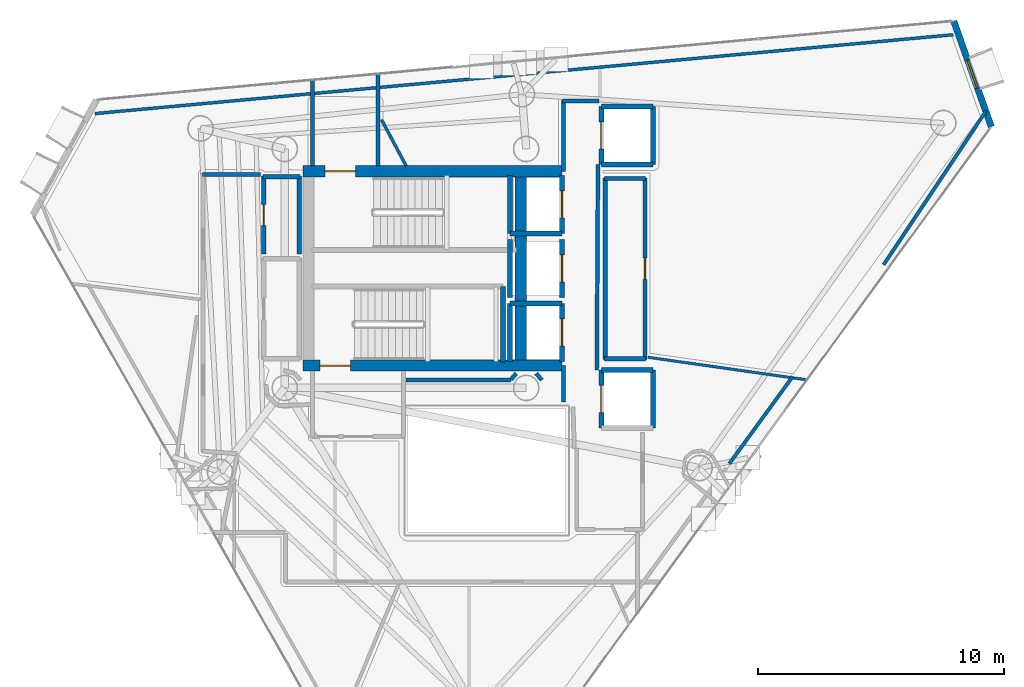
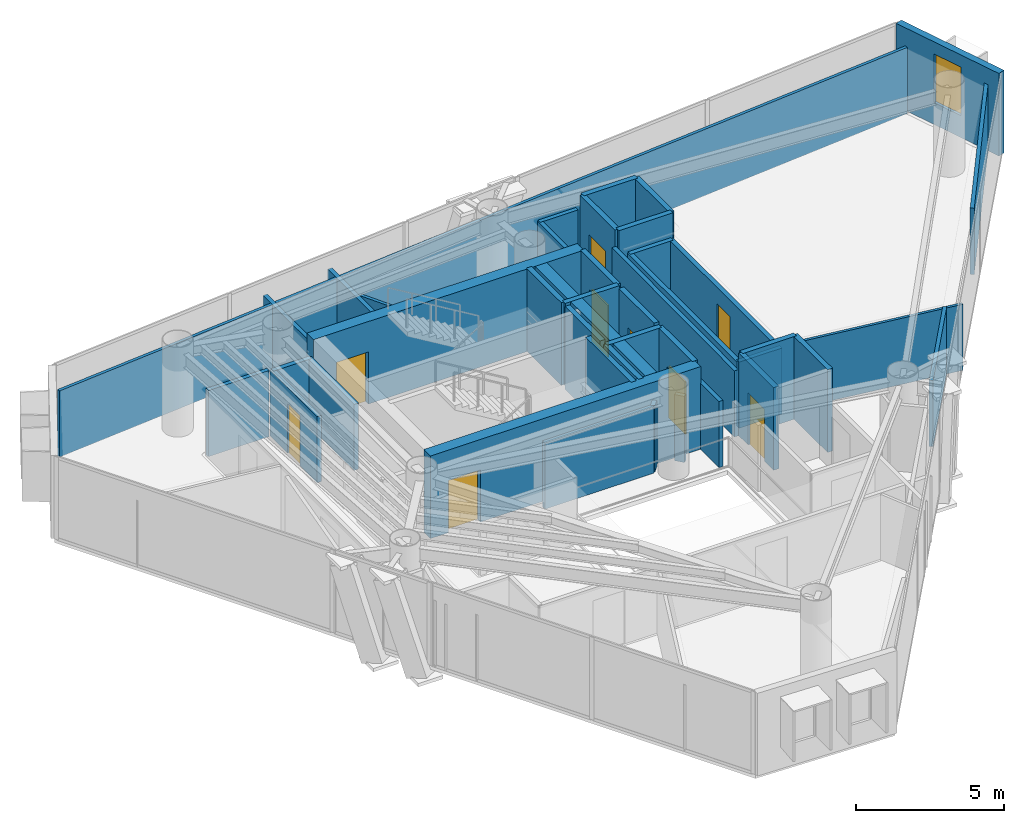
# One storey, part 18 of 21: 42 walls, 9 doors, 1 window, 10 openings.
"""IFC4 building model written with IfcOpenShell, lengths in metres."""

from ifc_helpers import new_model, si_unit, direction, frame, frame_2d, origin, place, context, subcontext, project, spatial, rectangle, extrude, material, layer, layer_set, type_object, element, fill, save


model = new_model("IFC4")

# Units and contexts
model_context = context("Model", 3, precision=1e-05, world=origin(), true_north=direction((0.0, 1.0)))
body_context = subcontext(model_context, "Body", "Model", "MODEL_VIEW")
ifc_project = project(units=[si_unit("LENGTHUNIT", "METRE"), si_unit("AREAUNIT", "SQUARE_METRE"), si_unit("VOLUMEUNIT", "CUBIC_METRE"), si_unit("PLANEANGLEUNIT", "RADIAN"), si_unit("MASSUNIT", "GRAM", prefix="KILO")], contexts=[model_context])

# Site, building, storey
site_placement = place(None, origin())
site = spatial("IfcSite", under=ifc_project, at=site_placement, CompositionType="ELEMENT")
building_placement = place(site_placement, origin())
building = spatial("IfcBuilding", under=site, at=building_placement, Name="Qianvela Tower", CompositionType="ELEMENT")
storey_placement = place(building_placement, frame((0.0, 0.0, 272.300048828125)))
storey = spatial("IfcBuildingStorey", under=building, at=storey_placement, Name="L70", CompositionType="ELEMENT", Elevation=272.300048828125)

# Wall, opening, window
ifc_material_1 = material(Name="Terracotta Cladding on Concrete C40", Category="masonry")
ifc_layer_1 = layer(ifc_material_1, 0.260009765625)
ifc_layer_set_1 = layer_set([ifc_layer_1], Name="Terracotta Cladding on Concrete C40")
wall_type_1 = type_object("IfcWallType", Name="TERRACOTTA-WALL-260", PredefinedType="SOLIDWALL", material=ifc_layer_set_1)
wall_1_placement = place(storey_placement, frame((57.28125, 34.45458984375, 0.0), z_axis=(0.0, 0.0, 1.0), x_axis=(-0.335078470917, 0.942190224067, 0.0)))
wall_1 = element("IfcWall", 1, at=wall_1_placement, inside=storey, type_object=wall_type_1, Name="L70 Terracotta Chamfer Facet Wall 1", PredefinedType="SOLIDWALL", context=body_context, shape_type="SweptSolid", body=[
    extrude(rectangle(XDim=4.550048828125, YDim=0.260009765625, at=frame_2d((2.27490234375, 0.0))), origin(), (0.0, 0.0, 1.0), 3.39990234375),
])
opening_1_placement = place(wall_1_placement, frame((1.675048828125, 0.0, 0.89990234375)))
opening_1 = element("IfcOpeningElement", 2, at=opening_1_placement, cuts=wall_1, Name="Opening W-03", PredefinedType="OPENING", context=body_context, shape_type="SweptSolid", body=[
    extrude(rectangle(XDim=1.199951171875, YDim=2.0, at=frame_2d((0.60009765625, 1.0))), frame((0.0, 0.139892578125, 0.0), z_axis=(0.0, -1.0, 0.0), x_axis=(1.0, 0.0, 0.0)), (0.0, 0.0, 1.0), 0.280029296875),
])
ifc_material_2 = material(Name="Thermally Broken Aluminium and Low-E Glass", Category="aluminium")
window_type = type_object("IfcWindowType", Name="WIN-TC-1200x2000", PartitioningType="SINGLE_PANEL", PredefinedType="WINDOW", material=ifc_material_2)
window_placement = place(opening_1_placement, origin())
window = element("IfcWindow", 3, at=window_placement, inside=storey, type_object=window_type, Name="L70 Chamfer Facet Window 1.1", OverallHeight=2.0, OverallWidth=1.199951171875, PartitioningType="SINGLE_PANEL", PredefinedType="WINDOW", context=body_context, shape_type="SweptSolid", body=[
    extrude(rectangle(XDim=1.199951171875, YDim=2.0, at=frame_2d((0.60009765625, 1.0))), frame((0.0, 0.030029296875, 0.0), z_axis=(0.0, -1.0, 0.0), x_axis=(1.0, 0.0, 0.0)), (0.0, 0.0, 1.0), 0.06005859375),
])
fill(opening_1, window)

# Wall, opening, door
ifc_material_3 = material(Name="Concrete C50", Category="concrete")
ifc_layer_2 = layer(ifc_material_3, 0.449951171875)
ifc_layer_set_2 = layer_set([ifc_layer_2], Name="Concrete C50")
wall_type_2 = type_object("IfcWallType", Name="WT-CORE-450", PredefinedType="SHEAR", material=ifc_layer_set_2)
wall_2_placement = place(storey_placement, frame((29.330078125, 32.64501953125, 0.0), z_axis=(0.0, 0.0, 1.0), x_axis=(1.0, 0.0, 0.0)))
wall_2 = element("IfcWall", 4, at=wall_2_placement, inside=storey, type_object=wall_type_2, Name="L70 North Core Shear Wall", PredefinedType="SHEAR", context=body_context, shape_type="SweptSolid", body=[
    extrude(rectangle(XDim=10.52001953125, YDim=0.449951171875, at=frame_2d((5.260009765625, 0.0))), origin(), (0.0, 0.0, 1.0), 3.39990234375),
])
opening_2_placement = place(wall_2_placement, frame((0.89501953125, 0.0, 0.0)))
opening_2 = element("IfcOpeningElement", 5, at=opening_2_placement, cuts=wall_2, Name="Opening D-ST1", PredefinedType="OPENING", context=body_context, shape_type="SweptSolid", body=[
    extrude(rectangle(XDim=1.25, YDim=2.14990234375, at=frame_2d((0.625, 1.074951171875))), frame((0.0, 0.23486328125, 0.0), z_axis=(0.0, -1.0, 0.0), x_axis=(1.0, 0.0, 0.0)), (0.0, 0.0, 1.0), 0.469970703125),
])
ifc_material_4 = material(Name="Galvanised Fire Steel Q355B", Category="steel")
door_type_1 = type_object("IfcDoorType", Name="DT-STAIR-FD90", OperationType="NOTDEFINED", PredefinedType="DOOR", material=ifc_material_4)
door_1_placement = place(opening_2_placement, origin())
door_1 = element("IfcDoor", 6, at=door_1_placement, inside=storey, type_object=door_type_1, Name="L70 Stair ST-1 Exit Door", OperationType="SINGLE_SWING_RIGHT", OverallHeight=2.14990234375, OverallWidth=1.25, PredefinedType="DOOR", context=body_context, shape_type="SweptSolid", body=[
    extrude(rectangle(XDim=1.25, YDim=2.14990234375, at=frame_2d((0.625, 1.074951171875))), frame((0.0, 0.02490234375, 0.0), z_axis=(0.0, -1.0, 0.0), x_axis=(1.0, 0.0, 0.0)), (0.0, 0.0, 1.0), 0.050048828125),
])
fill(opening_2, door_1)

wall_3_placement = place(storey_placement, frame((29.330078125, 24.7548828125, 0.0), z_axis=(0.0, 0.0, 1.0), x_axis=(1.0, 0.0, 0.0)))
wall_3 = element("IfcWall", 7, at=wall_3_placement, inside=storey, type_object=wall_type_2, Name="L70 South Core Shear Wall", PredefinedType="SHEAR", context=body_context, shape_type="SweptSolid", body=[
    extrude(rectangle(XDim=10.52001953125, YDim=0.449951171875, at=frame_2d((5.260009765625, 0.0))), origin(), (0.0, 0.0, 1.0), 3.39990234375),
])
opening_3_placement = place(wall_3_placement, frame((0.695068359375, 0.0, 0.0)))
opening_3 = element("IfcOpeningElement", 8, at=opening_3_placement, cuts=wall_3, Name="Opening D-ST1", PredefinedType="OPENING", context=body_context, shape_type="SweptSolid", body=[
    extrude(rectangle(XDim=1.25, YDim=2.14990234375, at=frame_2d((0.625, 1.074951171875))), frame((0.0, 0.23486328125, 0.0), z_axis=(0.0, -1.0, 0.0), x_axis=(1.0, 0.0, 0.0)), (0.0, 0.0, 1.0), 0.469970703125),
])
door_2_placement = place(opening_3_placement, origin())
door_2 = element("IfcDoor", 9, at=door_2_placement, inside=storey, type_object=door_type_1, Name="L70 Stair ST-2 Exit Door", OperationType="SINGLE_SWING_RIGHT", OverallHeight=2.14990234375, OverallWidth=1.25, PredefinedType="DOOR", context=body_context, shape_type="SweptSolid", body=[
    extrude(rectangle(XDim=1.25, YDim=2.14990234375, at=frame_2d((0.625, 1.074951171875))), frame((0.0, 0.02490234375, 0.0), z_axis=(0.0, -1.0, 0.0), x_axis=(1.0, 0.0, 0.0)), (0.0, 0.0, 1.0), 0.050048828125),
])
fill(opening_3, door_2)

# Walls
wall_4_placement = place(storey_placement, frame((38.179931640625, 24.97998046875, 0.0), z_axis=(0.0, 0.0, 1.0), x_axis=(0.0, 1.0, 0.0)))
element("IfcWall", 10, at=wall_4_placement, inside=storey, type_object=wall_type_2, Name="L70 East Spine Core Shear Wall", PredefinedType="SHEAR", context=body_context, shape_type="SweptSolid", body=[
    extrude(rectangle(XDim=7.43994140625, YDim=0.449951171875, at=frame_2d((3.719970703125, 0.0))), origin(), (0.0, 0.0, 1.0), 3.39990234375),
])
ifc_material_5 = material(Name="Fire-Rated Gypsum and Concrete Block", Category="concrete")
ifc_layer_3 = layer(ifc_material_5, 0.159912109375)
ifc_layer_set_3 = layer_set([ifc_layer_3], Name="Fire-Rated Gypsum and Concrete Block")
wall_type_3 = type_object("IfcWallType", Name="WT-CORR-160", PredefinedType="PARTITIONING", material=ifc_layer_set_3)
wall_5_placement = place(storey_placement, frame((29.73095703125, 32.85791015625, 0.0), z_axis=(0.0, 0.0, 1.0), x_axis=(0.0, 1.0, 0.0)))
element("IfcWall", 11, at=wall_5_placement, inside=storey, type_object=wall_type_3, Name="L70 Partition 2", PredefinedType="PARTITIONING", context=body_context, shape_type="SweptSolid", body=[
    extrude(rectangle(XDim=3.513671875, YDim=0.159912109375, at=frame_2d((1.7568359375, 0.0))), origin(), (0.0, 0.0, 1.0), 2.719970703125),
])
wall_6_placement = place(storey_placement, frame((32.388916015625, 36.61572265625, 0.0), z_axis=(0.0, 0.0, 1.0), x_axis=(0.0, -1.0, 0.0)))
element("IfcWall", 12, at=wall_6_placement, inside=storey, type_object=wall_type_3, Name="L70 Partition 4", PredefinedType="PARTITIONING", context=body_context, shape_type="SweptSolid", body=[
    extrude(rectangle(XDim=3.7578125, YDim=0.159912109375, at=frame_2d((1.87890625, 0.0))), origin(), (0.0, 0.0, 1.0), 2.719970703125),
])
wall_7_placement = place(storey_placement, frame((39.910888671875, 23.280029296875, 0.0), z_axis=(0.0, 0.0, 1.0), x_axis=(0.0, 1.0, 0.0)))
element("IfcWall", 13, at=wall_7_placement, inside=storey, type_object=wall_type_3, Name="L70 Partition 10", PredefinedType="PARTITIONING", context=body_context, shape_type="SweptSolid", body=[
    extrude(rectangle(XDim=1.47998046875, YDim=0.159912109375, at=frame_2d((0.739990234375, 0.0))), origin(), (0.0, 0.0, 1.0), 2.719970703125),
])
wall_8_placement = place(storey_placement, frame((39.910888671875, 32.639892578125, 0.0), z_axis=(0.0, 0.0, 1.0), x_axis=(0.0, 1.0, 0.0)))
element("IfcWall", 14, at=wall_8_placement, inside=storey, type_object=wall_type_3, Name="L70 Partition 12", PredefinedType="PARTITIONING", context=body_context, shape_type="SweptSolid", body=[
    extrude(rectangle(XDim=2.880126953125, YDim=0.159912109375, at=frame_2d((1.43994140625, 0.0))), origin(), (0.0, 0.0, 1.0), 2.719970703125),
])
wall_9_placement = place(storey_placement, frame((39.8798828125, 35.489013671875, 0.0), z_axis=(0.0, 0.0, 1.0), x_axis=(1.0, 0.0, 0.0)))
element("IfcWall", 15, at=wall_9_placement, inside=storey, type_object=wall_type_3, Name="L70 Partition 13", PredefinedType="PARTITIONING", context=body_context, shape_type="SweptSolid", body=[
    extrude(rectangle(XDim=1.480224609375, YDim=0.159912109375, at=frame_2d((0.740234375, 0.0))), origin(), (0.0, 0.0, 1.0), 2.719970703125),
])
wall_10_placement = place(storey_placement, frame((41.3134765625, 32.919921875, 0.0), z_axis=(0.0, 0.0, 1.0), x_axis=(-0.005942518022, -0.999982343084, 0.0)))
element("IfcWall", 16, at=wall_10_placement, inside=storey, type_object=wall_type_3, Name="L70 Partition 14 seg 2", PredefinedType="PARTITIONING", context=body_context, shape_type="SweptSolid", body=[
    extrude(rectangle(XDim=8.340087890625, YDim=0.159912109375, at=frame_2d((4.169921875, 0.0))), origin(), (0.0, 0.0, 1.0), 2.719970703125),
])
wall_11_placement = place(storey_placement, frame((39.0361328125, 24.170166015625, 0.0), z_axis=(0.0, 0.0, 1.0), x_axis=(-0.652260263346, 0.757995084984, 0.0)))
element("IfcWall", 17, at=wall_11_placement, inside=storey, type_object=wall_type_3, Name="L70 Partition 45", PredefinedType="PARTITIONING", context=body_context, shape_type="SweptSolid", body=[
    extrude(rectangle(XDim=0.35546875, YDim=0.159912109375, at=frame_2d((0.177734375, 0.0))), origin(), (0.0, 0.0, 1.0), 2.719970703125),
])
wall_12_placement = place(storey_placement, frame((37.995849609375, 24.439697265625, 0.0), z_axis=(0.0, 0.0, 1.0), x_axis=(-0.652425645794, -0.757852740782, 0.0)))
element("IfcWall", 18, at=wall_12_placement, inside=storey, type_object=wall_type_3, Name="L70 Partition 48", PredefinedType="PARTITIONING", context=body_context, shape_type="SweptSolid", body=[
    extrude(rectangle(XDim=0.319580078125, YDim=0.159912109375, at=frame_2d((0.15966796875, 0.0))), origin(), (0.0, 0.0, 1.0), 2.719970703125),
])
wall_13_placement = place(storey_placement, frame((37.787353515625, 24.180908203125, 0.0), z_axis=(0.0, 0.0, 1.0), x_axis=(-1.0, 0.0, 0.0)))
element("IfcWall", 19, at=wall_13_placement, inside=storey, type_object=wall_type_3, Name="L70 Partition 49", PredefinedType="PARTITIONING", context=body_context, shape_type="SweptSolid", body=[
    extrude(rectangle(XDim=4.25732421875, YDim=0.159912109375, at=frame_2d((2.128662109375, 0.0))), origin(), (0.0, 0.0, 1.0), 2.719970703125),
])
wall_14_placement = place(storey_placement, frame((25.25, 32.51904296875, 0.0), z_axis=(0.0, 0.0, 1.0), x_axis=(1.0, 0.0, 0.0)))
element("IfcWall", 20, at=wall_14_placement, inside=storey, type_object=wall_type_3, Name="L70 Partition 63", PredefinedType="PARTITIONING", context=body_context, shape_type="SweptSolid", body=[
    extrude(rectangle(XDim=2.3701171875, YDim=0.159912109375, at=frame_2d((1.18505859375, 0.0))), origin(), (0.0, 0.0, 1.0), 2.719970703125),
])
ifc_material_6 = material(Name="Lightweight Gypsum Room Partition")
ifc_layer_4 = layer(ifc_material_6, 0.10498046875)
ifc_layer_set_4 = layer_set([ifc_layer_4], Name="Lightweight Gypsum Room Partition")
wall_type_4 = type_object("IfcWallType", Name="WT-PART-105", PredefinedType="PARTITIONING", material=ifc_layer_set_4)
wall_15_placement = place(storey_placement, frame((43.345703125, 25.094970703125, 0.0), z_axis=(0.0, 0.0, 1.0), x_axis=(0.990037397819, -0.140804655176, 0.0)))
element("IfcWall", 21, at=wall_15_placement, inside=storey, type_object=wall_type_4, Name="L70 Partition 90", PredefinedType="PARTITIONING", context=body_context, shape_type="SweptSolid", body=[
    extrude(rectangle(XDim=6.540283203125, YDim=0.10498046875, at=frame_2d((3.27001953125, 0.0))), origin(), (0.0, 0.0, 1.0), 2.719970703125),
])
ifc_material_7 = material(Name="Insulated Gypsum Stud Partition")
ifc_layer_5 = layer(ifc_material_7, 0.1201171875)
ifc_layer_set_5 = layer_set([ifc_layer_5], Name="Insulated Gypsum Stud Partition")
wall_type_5 = type_object("IfcWallType", Name="WT-PART-120", PredefinedType="PARTITIONING", material=ifc_layer_set_5)
wall_16_placement = place(storey_placement, frame((20.8955078125, 34.98681640625, 0.0), z_axis=(0.0, 0.0, 1.0), x_axis=(0.995809385276, 0.091453092875, 0.0)))
element("IfcWall", 22, at=wall_16_placement, inside=storey, type_object=wall_type_5, Name="L70 Partition 110", PredefinedType="PARTITIONING", context=body_context, shape_type="SweptSolid", body=[
    extrude(rectangle(XDim=34.98486328125, YDim=0.1201171875, at=frame_2d((17.492431640625, 0.0))), origin(), (0.0, 0.0, 1.0), 2.719970703125),
])
wall_17_placement = place(storey_placement, frame((33.527587890625, 32.85791015625, 0.0), z_axis=(0.0, 0.0, 1.0), x_axis=(-0.46963008212, 0.882863288379, 0.0)))
element("IfcWall", 23, at=wall_17_placement, inside=storey, type_object=wall_type_5, Name="L70 Partition 122", PredefinedType="PARTITIONING", context=body_context, shape_type="SweptSolid", body=[
    extrude(rectangle(XDim=2.1298828125, YDim=0.1201171875, at=frame_2d((1.06494140625, 0.0))), origin(), (0.0, 0.0, 1.0), 2.719970703125),
])
ifc_material_8 = material(Name="Moisture-Resistant Acoustic Plumbing Wall")
ifc_layer_6 = layer(ifc_material_8, 0.175048828125)
ifc_layer_set_6 = layer_set([ifc_layer_6], Name="Moisture-Resistant Acoustic Plumbing Wall")
wall_type_6 = type_object("IfcWallType", Name="WT-PLUMB-175", PredefinedType="PLUMBINGWALL", material=ifc_layer_set_6)
wall_18_placement = place(storey_placement, frame((43.25, 25.031005859375, 0.0), z_axis=(0.0, 0.0, 1.0), x_axis=(-1.0, 0.0, 0.0)))
element("IfcWall", 24, at=wall_18_placement, inside=storey, type_object=wall_type_6, Name="L70 Partition 19", PredefinedType="PLUMBINGWALL", context=body_context, shape_type="SweptSolid", body=[
    extrude(rectangle(XDim=1.669921875, YDim=0.175048828125, at=frame_2d((0.8349609375, 0.0))), origin(), (0.0, 0.0, 1.0), 2.719970703125),
])
wall_19_placement = place(storey_placement, frame((41.611083984375, 25.0, 0.0), z_axis=(0.0, 0.0, 1.0), x_axis=(0.0, 1.0, 0.0)))
element("IfcWall", 25, at=wall_19_placement, inside=storey, type_object=wall_type_6, Name="L70 Partition 20", PredefinedType="PLUMBINGWALL", context=body_context, shape_type="SweptSolid", body=[
    extrude(rectangle(XDim=7.3798828125, YDim=0.175048828125, at=frame_2d((3.68994140625, 0.0))), origin(), (0.0, 0.0, 1.0), 2.719970703125),
])
wall_20_placement = place(storey_placement, frame((41.580078125, 32.34912109375, 0.0), z_axis=(0.0, 0.0, 1.0), x_axis=(1.0, 0.0, 0.0)))
element("IfcWall", 26, at=wall_20_placement, inside=storey, type_object=wall_type_6, Name="L70 Partition 21", PredefinedType="PLUMBINGWALL", context=body_context, shape_type="SweptSolid", body=[
    extrude(rectangle(XDim=1.669921875, YDim=0.175048828125, at=frame_2d((0.8349609375, 0.0))), origin(), (0.0, 0.0, 1.0), 2.719970703125),
])

# Wall, opening, door
wall_21_placement = place(storey_placement, frame((43.218994140625, 32.3798828125, 0.0), z_axis=(0.0, 0.0, 1.0), x_axis=(0.0, -1.0, 0.0)))
wall_21 = element("IfcWall", 27, at=wall_21_placement, inside=storey, type_object=wall_type_6, Name="L70 Partition 22", PredefinedType="PLUMBINGWALL", context=body_context, shape_type="SweptSolid", body=[
    extrude(rectangle(XDim=7.3798828125, YDim=0.175048828125, at=frame_2d((3.68994140625, 0.0))), origin(), (0.0, 0.0, 1.0), 2.719970703125),
])
opening_4_placement = place(wall_21_placement, frame((3.260009765625, 0.0, 0.0)))
opening_4 = element("IfcOpeningElement", 28, at=opening_4_placement, cuts=wall_21, Name="Opening D-WC1", PredefinedType="OPENING", context=body_context, shape_type="SweptSolid", body=[
    extrude(rectangle(XDim=0.860107421875, YDim=2.050048828125, at=frame_2d((0.43017578125, 1.02490234375))), frame((0.0, 0.097412109375, 0.0), z_axis=(0.0, -1.0, 0.0), x_axis=(1.0, 0.0, 0.0)), (0.0, 0.0, 1.0), 0.195068359375),
])
ifc_material_9 = material(Name="Moisture-Sealed Acoustic Timber Door", Category="wood")
door_type_2 = type_object("IfcDoorType", Name="DT-WC-860", OperationType="NOTDEFINED", PredefinedType="DOOR", material=ifc_material_9)
door_3_placement = place(opening_4_placement, origin())
door_3 = element("IfcDoor", 29, at=door_3_placement, inside=storey, type_object=door_type_2, Name="L70 Door L70 Accessible WC to Student Bookshop Market L70-05", OperationType="SINGLE_SWING_LEFT", OverallHeight=2.050048828125, OverallWidth=0.860107421875, PredefinedType="DOOR", context=body_context, shape_type="SweptSolid", body=[
    extrude(rectangle(XDim=0.860107421875, YDim=2.050048828125, at=frame_2d((0.43017578125, 1.02490234375))), frame((0.0, 0.02490234375, 0.0), z_axis=(0.0, -1.0, 0.0), x_axis=(1.0, 0.0, 0.0)), (0.0, 0.0, 1.0), 0.050048828125),
])
fill(opening_4, door_3)

wall_22_placement = place(storey_placement, frame((27.7509765625, 29.280029296875, 0.0), z_axis=(0.0, 0.0, 1.0), x_axis=(0.0, 1.0, 0.0)))
wall_22 = element("IfcWall", 30, at=wall_22_placement, inside=storey, type_object=wall_type_6, Name="L70 Partition 27", PredefinedType="PLUMBINGWALL", context=body_context, shape_type="SweptSolid", body=[
    extrude(rectangle(XDim=3.169921875, YDim=0.175048828125, at=frame_2d((1.5849609375, 0.0))), origin(), (0.0, 0.0, 1.0), 2.719970703125),
])
opening_5_placement = place(wall_22_placement, frame((1.155029296875, 0.0, 0.0)))
opening_5 = element("IfcOpeningElement", 31, at=opening_5_placement, cuts=wall_22, Name="Opening D-WC1", PredefinedType="OPENING", context=body_context, shape_type="SweptSolid", body=[
    extrude(rectangle(XDim=0.860107421875, YDim=2.050048828125, at=frame_2d((0.43017578125, 1.02490234375))), frame((0.0, 0.097412109375, 0.0), z_axis=(0.0, -1.0, 0.0), x_axis=(1.0, 0.0, 0.0)), (0.0, 0.0, 1.0), 0.195068359375),
])
door_4_placement = place(opening_5_placement, origin())
door_4 = element("IfcDoor", 32, at=door_4_placement, inside=storey, type_object=door_type_2, Name="L70 Door L70 Accessible WC to L70 Floor Corridor", OperationType="SINGLE_SWING_LEFT", OverallHeight=2.050048828125, OverallWidth=0.860107421875, PredefinedType="DOOR", context=body_context, shape_type="SweptSolid", body=[
    extrude(rectangle(XDim=0.860107421875, YDim=2.050048828125, at=frame_2d((0.43017578125, 1.02490234375))), frame((0.0, 0.02490234375, 0.0), z_axis=(0.0, -1.0, 0.0), x_axis=(1.0, 0.0, 0.0)), (0.0, 0.0, 1.0), 0.050048828125),
])
fill(opening_5, door_4)

# Walls
wall_23_placement = place(storey_placement, frame((27.719970703125, 32.4189453125, 0.0), z_axis=(0.0, 0.0, 1.0), x_axis=(1.0, 0.0, 0.0)))
element("IfcWall", 33, at=wall_23_placement, inside=storey, type_object=wall_type_6, Name="L70 Partition 28", PredefinedType="PLUMBINGWALL", context=body_context, shape_type="SweptSolid", body=[
    extrude(rectangle(XDim=1.5, YDim=0.175048828125, at=frame_2d((0.75, 0.0))), origin(), (0.0, 0.0, 1.0), 2.719970703125),
])
wall_24_placement = place(storey_placement, frame((29.18896484375, 32.449951171875, 0.0), z_axis=(0.0, 0.0, 1.0), x_axis=(0.0, -1.0, 0.0)))
element("IfcWall", 34, at=wall_24_placement, inside=storey, type_object=wall_type_6, Name="L70 Partition 29", PredefinedType="PLUMBINGWALL", context=body_context, shape_type="SweptSolid", body=[
    extrude(rectangle(XDim=3.169921875, YDim=0.175048828125, at=frame_2d((1.5849609375, 0.0))), origin(), (0.0, 0.0, 1.0), 2.719970703125),
])
ifc_material_10 = material(Name="Acoustic Double Gypsum Stud Partition")
ifc_layer_7 = layer(ifc_material_10, 0.139892578125)
ifc_layer_set_7 = layer_set([ifc_layer_7], Name="Acoustic Double Gypsum Stud Partition")
wall_type_7 = type_object("IfcWallType", Name="WT-ROOM-140", PredefinedType="PARTITIONING", material=ifc_layer_set_7)
wall_25_placement = place(storey_placement, frame((49.2138671875, 24.306396484375, 0.0), z_axis=(0.0, 0.0, 1.0), x_axis=(-0.588450936064, -0.808532928115, 0.0)))
element("IfcWall", 35, at=wall_25_placement, inside=storey, type_object=wall_type_7, Name="L70 Partition 91", PredefinedType="PARTITIONING", context=body_context, shape_type="SweptSolid", body=[
    extrude(rectangle(XDim=4.3662109375, YDim=0.139892578125, at=frame_2d((2.18310546875, 0.0))), origin(), (0.0, 0.0, 1.0), 2.719970703125),
])
wall_26_placement = place(storey_placement, frame((57.0693359375, 35.099853515625, 0.0), z_axis=(0.0, 0.0, 1.0), x_axis=(-0.554429954991, -0.832230391784, 0.0)))
element("IfcWall", 36, at=wall_26_placement, inside=storey, type_object=wall_type_7, Name="L70 Partition 112 seg 1", PredefinedType="PARTITIONING", context=body_context, shape_type="SweptSolid", body=[
    extrude(rectangle(XDim=7.506103515625, YDim=0.139892578125, at=frame_2d((3.7529296875, 0.0))), origin(), (0.0, 0.0, 1.0), 2.719970703125),
])
ifc_material_11 = material(Name="Concrete C50", Category="concrete")
ifc_layer_8 = layer(ifc_material_11, 0.199951171875)
ifc_layer_set_8 = layer_set([ifc_layer_8], Name="Concrete C50")
wall_type_8 = type_object("IfcWallType", Name="WT-SHAFT-200", PredefinedType="SOLIDWALL", material=ifc_layer_set_8)
wall_27_placement = place(storey_placement, frame((37.449951171875, 24.89990234375, 0.0), z_axis=(0.0, 0.0, 1.0), x_axis=(0.0, 1.0, 0.0)))
element("IfcWall", 37, at=wall_27_placement, inside=storey, type_object=wall_type_8, Name="L70 Stair ST-2 East Wall", PredefinedType="SOLIDWALL", context=body_context, shape_type="SweptSolid", body=[
    extrude(rectangle(XDim=3.06005859375, YDim=0.199951171875, at=frame_2d((1.530029296875, 0.0))), origin(), (0.0, 0.0, 1.0), 3.39990234375),
])

# Wall, opening, door
wall_28_placement = place(storey_placement, frame((39.85009765625, 30.1201171875, 0.0), z_axis=(0.0, 0.0, 1.0), x_axis=(0.0, 1.0, 0.0)))
wall_28 = element("IfcWall", 38, at=wall_28_placement, inside=storey, type_object=wall_type_8, Name="L70 Lift FL-1 E Shaft Wall", PredefinedType="SOLIDWALL", context=body_context, shape_type="SweptSolid", body=[
    extrude(rectangle(XDim=2.35986328125, YDim=0.199951171875, at=frame_2d((1.179931640625, 0.0))), origin(), (0.0, 0.0, 1.0), 3.39990234375),
])
opening_6_placement = place(wall_28_placement, frame((0.6298828125, 0.0, 0.0)))
opening_6 = element("IfcOpeningElement", 39, at=opening_6_placement, cuts=wall_28, Name="Opening LD-01", PredefinedType="OPENING", context=body_context, shape_type="SweptSolid", body=[
    extrude(rectangle(XDim=1.10009765625, YDim=2.14990234375, at=frame_2d((0.550048828125, 1.074951171875))), frame((0.0, 0.10986328125, 0.0), z_axis=(0.0, -1.0, 0.0), x_axis=(1.0, 0.0, 0.0)), (0.0, 0.0, 1.0), 0.219970703125),
])
ifc_material_12 = material(Name="Brushed Stainless Steel Lift Landing Door", Category="steel")
door_type_3 = type_object("IfcDoorType", Name="DT-LIFT-SLIDE-1100", OperationType="SLIDING_TO_LEFT", PredefinedType="DOOR", material=ifc_material_12)
door_5_placement = place(opening_6_placement, origin())
door_5 = element("IfcDoor", 40, at=door_5_placement, inside=storey, type_object=door_type_3, Name="L70 Lift FL-1 Sliding Landing Door", OperationType="SLIDING_TO_LEFT", OverallHeight=2.14990234375, OverallWidth=1.10009765625, PredefinedType="DOOR", context=body_context, shape_type="SweptSolid", body=[
    extrude(rectangle(XDim=1.10009765625, YDim=2.14990234375, at=frame_2d((0.550048828125, 1.074951171875))), frame((0.0, 0.02490234375, 0.0), z_axis=(0.0, -1.0, 0.0), x_axis=(1.0, 0.0, 0.0)), (0.0, 0.0, 1.0), 0.050048828125),
])
fill(opening_6, door_5)

# Walls
wall_29_placement = place(storey_placement, frame((37.75, 30.1201171875, 0.0), z_axis=(0.0, 0.0, 1.0), x_axis=(0.0, 1.0, 0.0)))
element("IfcWall", 41, at=wall_29_placement, inside=storey, type_object=wall_type_8, Name="L70 Lift FL-1 W Shaft Wall", PredefinedType="SOLIDWALL", context=body_context, shape_type="SweptSolid", body=[
    extrude(rectangle(XDim=2.35986328125, YDim=0.199951171875, at=frame_2d((1.179931640625, 0.0))), origin(), (0.0, 0.0, 1.0), 3.39990234375),
])
wall_30_placement = place(storey_placement, frame((37.75, 30.1201171875, 0.0), z_axis=(0.0, 0.0, 1.0), x_axis=(1.0, 0.0, 0.0)))
element("IfcWall", 42, at=wall_30_placement, inside=storey, type_object=wall_type_8, Name="L70 Lift FL-1 S Shaft Wall", PredefinedType="SOLIDWALL", context=body_context, shape_type="SweptSolid", body=[
    extrude(rectangle(XDim=2.10009765625, YDim=0.199951171875, at=frame_2d((1.050048828125, 0.0))), origin(), (0.0, 0.0, 1.0), 3.39990234375),
])

# Wall, opening, door
wall_31_placement = place(storey_placement, frame((39.85009765625, 24.919921875, 0.0), z_axis=(0.0, 0.0, 1.0), x_axis=(0.0, 1.0, 0.0)))
wall_31 = element("IfcWall", 43, at=wall_31_placement, inside=storey, type_object=wall_type_8, Name="L70 Lift FL-2 E Shaft Wall", PredefinedType="SOLIDWALL", context=body_context, shape_type="SweptSolid", body=[
    extrude(rectangle(XDim=2.360107421875, YDim=0.199951171875, at=frame_2d((1.18017578125, 0.0))), origin(), (0.0, 0.0, 1.0), 3.39990234375),
])
opening_7_placement = place(wall_31_placement, frame((0.6298828125, 0.0, 0.0)))
opening_7 = element("IfcOpeningElement", 44, at=opening_7_placement, cuts=wall_31, Name="Opening LD-01", PredefinedType="OPENING", context=body_context, shape_type="SweptSolid", body=[
    extrude(rectangle(XDim=1.10009765625, YDim=2.14990234375, at=frame_2d((0.550048828125, 1.074951171875))), frame((0.0, 0.10986328125, 0.0), z_axis=(0.0, -1.0, 0.0), x_axis=(1.0, 0.0, 0.0)), (0.0, 0.0, 1.0), 0.219970703125),
])
door_6_placement = place(opening_7_placement, origin())
door_6 = element("IfcDoor", 45, at=door_6_placement, inside=storey, type_object=door_type_3, Name="L70 Lift FL-2 Sliding Landing Door", OperationType="SLIDING_TO_LEFT", OverallHeight=2.14990234375, OverallWidth=1.10009765625, PredefinedType="DOOR", context=body_context, shape_type="SweptSolid", body=[
    extrude(rectangle(XDim=1.10009765625, YDim=2.14990234375, at=frame_2d((0.550048828125, 1.074951171875))), frame((0.0, 0.02490234375, 0.0), z_axis=(0.0, -1.0, 0.0), x_axis=(1.0, 0.0, 0.0)), (0.0, 0.0, 1.0), 0.050048828125),
])
fill(opening_7, door_6)

# Walls
wall_32_placement = place(storey_placement, frame((37.75, 24.919921875, 0.0), z_axis=(0.0, 0.0, 1.0), x_axis=(0.0, 1.0, 0.0)))
element("IfcWall", 46, at=wall_32_placement, inside=storey, type_object=wall_type_8, Name="L70 Lift FL-2 W Shaft Wall", PredefinedType="SOLIDWALL", context=body_context, shape_type="SweptSolid", body=[
    extrude(rectangle(XDim=2.360107421875, YDim=0.199951171875, at=frame_2d((1.18017578125, 0.0))), origin(), (0.0, 0.0, 1.0), 3.39990234375),
])
wall_33_placement = place(storey_placement, frame((37.75, 27.280029296875, 0.0), z_axis=(0.0, 0.0, 1.0), x_axis=(1.0, 0.0, 0.0)))
element("IfcWall", 47, at=wall_33_placement, inside=storey, type_object=wall_type_8, Name="L70 Lift FL-2 N Shaft Wall", PredefinedType="SOLIDWALL", context=body_context, shape_type="SweptSolid", body=[
    extrude(rectangle(XDim=2.10009765625, YDim=0.199951171875, at=frame_2d((1.050048828125, 0.0))), origin(), (0.0, 0.0, 1.0), 3.39990234375),
])

# Wall, opening, door
wall_34_placement = place(storey_placement, frame((39.85009765625, 27.52001953125, 0.0), z_axis=(0.0, 0.0, 1.0), x_axis=(0.0, 1.0, 0.0)))
wall_34 = element("IfcWall", 48, at=wall_34_placement, inside=storey, type_object=wall_type_8, Name="L70 Lift PL-H1 E Shaft Wall", PredefinedType="SOLIDWALL", context=body_context, shape_type="SweptSolid", body=[
    extrude(rectangle(XDim=2.35986328125, YDim=0.199951171875, at=frame_2d((1.179931640625, 0.0))), origin(), (0.0, 0.0, 1.0), 3.39990234375),
])
opening_8_placement = place(wall_34_placement, frame((0.6298828125, 0.0, 0.0)))
opening_8 = element("IfcOpeningElement", 49, at=opening_8_placement, cuts=wall_34, Name="Opening LD-01", PredefinedType="OPENING", context=body_context, shape_type="SweptSolid", body=[
    extrude(rectangle(XDim=1.10009765625, YDim=2.14990234375, at=frame_2d((0.550048828125, 1.074951171875))), frame((0.0, 0.10986328125, 0.0), z_axis=(0.0, -1.0, 0.0), x_axis=(1.0, 0.0, 0.0)), (0.0, 0.0, 1.0), 0.219970703125),
])
door_7_placement = place(opening_8_placement, origin())
door_7 = element("IfcDoor", 50, at=door_7_placement, inside=storey, type_object=door_type_3, Name="L70 Lift PL-H1 Sliding Landing Door", OperationType="SLIDING_TO_LEFT", OverallHeight=2.14990234375, OverallWidth=1.10009765625, PredefinedType="DOOR", context=body_context, shape_type="SweptSolid", body=[
    extrude(rectangle(XDim=1.10009765625, YDim=2.14990234375, at=frame_2d((0.550048828125, 1.074951171875))), frame((0.0, 0.02490234375, 0.0), z_axis=(0.0, -1.0, 0.0), x_axis=(1.0, 0.0, 0.0)), (0.0, 0.0, 1.0), 0.050048828125),
])
fill(opening_8, door_7)

# Walls
wall_35_placement = place(storey_placement, frame((37.75, 27.52001953125, 0.0), z_axis=(0.0, 0.0, 1.0), x_axis=(0.0, 1.0, 0.0)))
element("IfcWall", 51, at=wall_35_placement, inside=storey, type_object=wall_type_8, Name="L70 Lift PL-H1 W Shaft Wall", PredefinedType="SOLIDWALL", context=body_context, shape_type="SweptSolid", body=[
    extrude(rectangle(XDim=2.35986328125, YDim=0.199951171875, at=frame_2d((1.179931640625, 0.0))), origin(), (0.0, 0.0, 1.0), 3.39990234375),
])
wall_36_placement = place(storey_placement, frame((43.550048828125, 22.219970703125, 0.0), z_axis=(0.0, 0.0, 1.0), x_axis=(0.0, 1.0, 0.0)))
element("IfcWall", 52, at=wall_36_placement, inside=storey, type_object=wall_type_8, Name="L70 Lift PL-H2 E Shaft Wall", PredefinedType="SOLIDWALL", context=body_context, shape_type="SweptSolid", body=[
    extrude(rectangle(XDim=2.360107421875, YDim=0.199951171875, at=frame_2d((1.18017578125, 0.0))), origin(), (0.0, 0.0, 1.0), 3.39990234375),
])

# Wall, opening, door
wall_37_placement = place(storey_placement, frame((41.449951171875, 22.219970703125, 0.0), z_axis=(0.0, 0.0, 1.0), x_axis=(0.0, 1.0, 0.0)))
wall_37 = element("IfcWall", 53, at=wall_37_placement, inside=storey, type_object=wall_type_8, Name="L70 Lift PL-H2 W Shaft Wall", PredefinedType="SOLIDWALL", context=body_context, shape_type="SweptSolid", body=[
    extrude(rectangle(XDim=2.360107421875, YDim=0.199951171875, at=frame_2d((1.18017578125, 0.0))), origin(), (0.0, 0.0, 1.0), 3.39990234375),
])
opening_9_placement = place(wall_37_placement, frame((0.6298828125, 0.0, 0.0)))
opening_9 = element("IfcOpeningElement", 54, at=opening_9_placement, cuts=wall_37, Name="Opening LD-01", PredefinedType="OPENING", context=body_context, shape_type="SweptSolid", body=[
    extrude(rectangle(XDim=1.10009765625, YDim=2.14990234375, at=frame_2d((0.550048828125, 1.074951171875))), frame((0.0, 0.10986328125, 0.0), z_axis=(0.0, -1.0, 0.0), x_axis=(1.0, 0.0, 0.0)), (0.0, 0.0, 1.0), 0.219970703125),
])
door_8_placement = place(opening_9_placement, origin())
door_8 = element("IfcDoor", 55, at=door_8_placement, inside=storey, type_object=door_type_3, Name="L70 Lift PL-H2 Sliding Landing Door", OperationType="SLIDING_TO_LEFT", OverallHeight=2.14990234375, OverallWidth=1.10009765625, PredefinedType="DOOR", context=body_context, shape_type="SweptSolid", body=[
    extrude(rectangle(XDim=1.10009765625, YDim=2.14990234375, at=frame_2d((0.550048828125, 1.074951171875))), frame((0.0, 0.02490234375, 0.0), z_axis=(0.0, -1.0, 0.0), x_axis=(1.0, 0.0, 0.0)), (0.0, 0.0, 1.0), 0.050048828125),
])
fill(opening_9, door_8)

# Walls
wall_38_placement = place(storey_placement, frame((41.449951171875, 24.580078125, 0.0), z_axis=(0.0, 0.0, 1.0), x_axis=(1.0, 0.0, 0.0)))
element("IfcWall", 56, at=wall_38_placement, inside=storey, type_object=wall_type_8, Name="L70 Lift PL-H2 N Shaft Wall", PredefinedType="SOLIDWALL", context=body_context, shape_type="SweptSolid", body=[
    extrude(rectangle(XDim=2.10009765625, YDim=0.199951171875, at=frame_2d((1.050048828125, 0.0))), origin(), (0.0, 0.0, 1.0), 3.39990234375),
])
wall_39_placement = place(storey_placement, frame((43.550048828125, 32.919921875, 0.0), z_axis=(0.0, 0.0, 1.0), x_axis=(0.0, 1.0, 0.0)))
element("IfcWall", 57, at=wall_39_placement, inside=storey, type_object=wall_type_8, Name="L70 Lift PL-H3 E Shaft Wall", PredefinedType="SOLIDWALL", context=body_context, shape_type="SweptSolid", body=[
    extrude(rectangle(XDim=2.360107421875, YDim=0.199951171875, at=frame_2d((1.18017578125, 0.0))), origin(), (0.0, 0.0, 1.0), 3.39990234375),
])

# Wall, opening, door
wall_40_placement = place(storey_placement, frame((41.449951171875, 32.919921875, 0.0), z_axis=(0.0, 0.0, 1.0), x_axis=(0.0, 1.0, 0.0)))
wall_40 = element("IfcWall", 58, at=wall_40_placement, inside=storey, type_object=wall_type_8, Name="L70 Lift PL-H3 W Shaft Wall", PredefinedType="SOLIDWALL", context=body_context, shape_type="SweptSolid", body=[
    extrude(rectangle(XDim=2.360107421875, YDim=0.199951171875, at=frame_2d((1.18017578125, 0.0))), origin(), (0.0, 0.0, 1.0), 3.39990234375),
])
opening_10_placement = place(wall_40_placement, frame((0.6298828125, 0.0, 0.0)))
opening_10 = element("IfcOpeningElement", 59, at=opening_10_placement, cuts=wall_40, Name="Opening LD-01", PredefinedType="OPENING", context=body_context, shape_type="SweptSolid", body=[
    extrude(rectangle(XDim=1.10009765625, YDim=2.14990234375, at=frame_2d((0.550048828125, 1.074951171875))), frame((0.0, 0.10986328125, 0.0), z_axis=(0.0, -1.0, 0.0), x_axis=(1.0, 0.0, 0.0)), (0.0, 0.0, 1.0), 0.219970703125),
])
door_9_placement = place(opening_10_placement, origin())
door_9 = element("IfcDoor", 60, at=door_9_placement, inside=storey, type_object=door_type_3, Name="L70 Lift PL-H3 Sliding Landing Door", OperationType="SLIDING_TO_LEFT", OverallHeight=2.14990234375, OverallWidth=1.10009765625, PredefinedType="DOOR", context=body_context, shape_type="SweptSolid", body=[
    extrude(rectangle(XDim=1.10009765625, YDim=2.14990234375, at=frame_2d((0.550048828125, 1.074951171875))), frame((0.0, 0.02490234375, 0.0), z_axis=(0.0, -1.0, 0.0), x_axis=(1.0, 0.0, 0.0)), (0.0, 0.0, 1.0), 0.050048828125),
])
fill(opening_10, door_9)

# Walls
for number, where, z_axis, x_axis, name in (
    (61, (41.449951171875, 35.280029296875, 0.0), (0.0, 0.0, 1.0), (1.0, 0.0, 0.0), "L70 Lift PL-H3 N Shaft Wall"),
    (62, (41.449951171875, 32.919921875, 0.0), (0.0, 0.0, 1.0), (1.0, 0.0, 0.0), "L70 Lift PL-H3 S Shaft Wall"),
):
    element("IfcWall", number, at=place(storey_placement, frame(where, z_axis=z_axis, x_axis=x_axis)), inside=storey, type_object=wall_type_8, Name=name, PredefinedType="SOLIDWALL", context=body_context, shape_type="SweptSolid", body=[
        extrude(rectangle(XDim=2.10009765625, YDim=0.199951171875, at=frame_2d((1.050048828125, 0.0))), origin(), (0.0, 0.0, 1.0), 3.39990234375),
    ])

save(model, "model.ifc")
